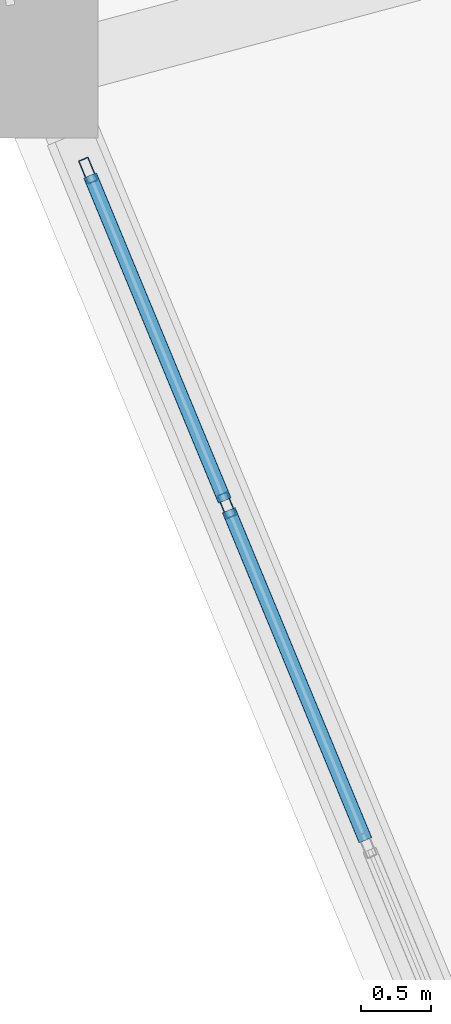
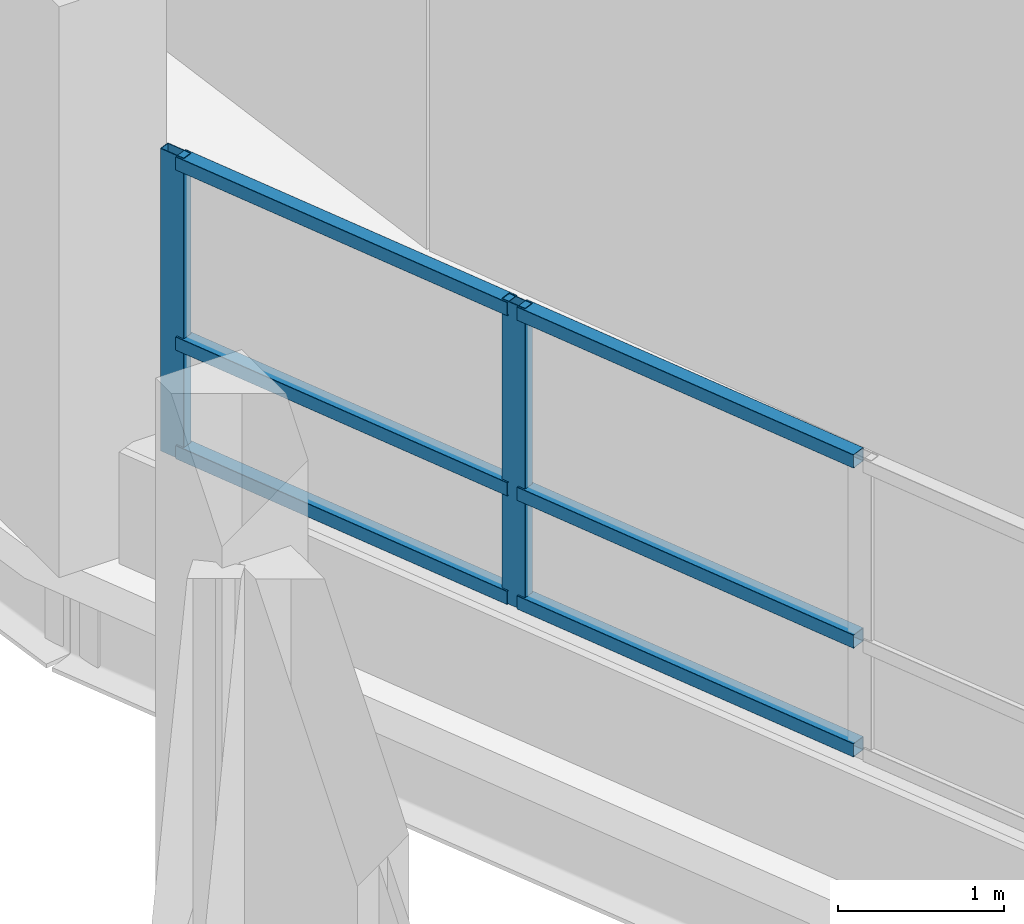
# One storey, part 28 of 128: 8 members, 1 element without a shape of its own.
"""IFC4 building model written with IfcOpenShell, lengths in metres."""

from ifc_helpers import new_model, si_unit, direction, frame, origin, origin_2d, place, context, subcontext, project, spatial, hollow_rectangle, extrude, material, layer, layer_set, material_profile, profile_set, type_object, element, aggregate, save


model = new_model("IFC4")

# Units and contexts
model_context = context("Model", 3, precision=1e-05, world=origin(), true_north=direction((0.0, 1.0)))
body_context = subcontext(model_context, "Body", "Model", "MODEL_VIEW")
ifc_project = project(units=[si_unit("LENGTHUNIT", "METRE"), si_unit("AREAUNIT", "SQUARE_METRE"), si_unit("VOLUMEUNIT", "CUBIC_METRE"), si_unit("PLANEANGLEUNIT", "RADIAN"), si_unit("MASSUNIT", "GRAM", prefix="KILO")], contexts=[model_context])

# Site, building, storey
site_placement = place(None, origin())
site = spatial("IfcSite", under=ifc_project, at=site_placement, CompositionType="ELEMENT")
building_placement = place(site_placement, origin())
building = spatial("IfcBuilding", under=site, at=building_placement, Name="Vespera Passage Community Centre", CompositionType="ELEMENT")
storey_placement = place(building_placement, frame((0.0, 0.0, 4.5)))
storey = spatial("IfcBuildingStorey", under=building, at=storey_placement, Name="L01", CompositionType="ELEMENT", Elevation=4.5)

# Curtain wall, members
ifc_material_1 = material(Name="Anodized aluminium 6063-T6", Category="aluminium")
ifc_layer = layer(ifc_material_1, 0.159912109375)
ifc_layer_set = layer_set([ifc_layer], Name="Anodized aluminium 6063-T6")
curtain_wall_type = type_object("IfcCurtainWallType", Name="CW-20E", PredefinedType="NOTDEFINED", material=ifc_layer_set)
curtain_wall_placement = place(storey_placement, origin())
curtain_wall = element("IfcCurtainWall", 1, at=curtain_wall_placement, inside=storey, type_object=curtain_wall_type, Name="V4 L01 Outer Ribbon Curtain Wall 13", PredefinedType="NOTDEFINED")
ifc_material_2 = material(Name="Anodized aluminium 6063-T6", Category="aluminium")
ifc_material_profile_1 = material_profile(ifc_material_2, hollow_rectangle(XDim=0.074951171875, YDim=0.179931640625, WallThickness=0.0048828125, InnerFilletRadius=0.00244140625, OuterFilletRadius=0.0048828125, at=origin_2d()), Name="ALU180X75X5")
ifc_profile_set_1 = profile_set([ifc_material_profile_1], Name="Anodized aluminium 6063-T6")
member_type_1 = type_object("IfcMemberType", Name="MB-CWM-180E", PredefinedType="MULLION", material=ifc_profile_set_1)
member_1_placement = place(storey_placement, frame((34.766845703125, 50.439453125, 0.820068359375), z_axis=(0.0, 0.0, 1.0), x_axis=(-0.923881309405, -0.382679142535, 0.0)))
member_1 = element("IfcMember", 2, at=member_1_placement, type_object=member_type_1, Name="CW-20E mullion 4", PredefinedType="MULLION", context=body_context, shape_type="SweptSolid", body=[
    extrude(hollow_rectangle(XDim=0.074951171875, YDim=0.179931640625, WallThickness=0.0048828125, InnerFilletRadius=0.00244140625, OuterFilletRadius=0.0048828125, at=origin_2d()), origin(), (0.0, 0.0, 1.0), 2.2255859375),
])
member_2_placement = place(storey_placement, frame((33.774658203125, 52.835205078125, 0.820068359375), z_axis=(0.0, 0.0, 1.0), x_axis=(-0.923881309405, -0.382679142535, 0.0)))
member_2 = element("IfcMember", 3, at=member_2_placement, type_object=member_type_1, Name="CW-20E mullion 5", PredefinedType="MULLION", context=body_context, shape_type="SweptSolid", body=[
    extrude(hollow_rectangle(XDim=0.074951171875, YDim=0.179931640625, WallThickness=0.0048828125, InnerFilletRadius=0.00244140625, OuterFilletRadius=0.0048828125, at=origin_2d()), origin(), (0.0, 0.0, 1.0), 2.2255859375),
])
ifc_material_3 = material(Name="Anodized aluminium 6063-T6", Category="aluminium")
ifc_material_profile_2 = material_profile(ifc_material_3, hollow_rectangle(XDim=0.10009765625, YDim=0.10009765625, WallThickness=0.00390625, InnerFilletRadius=0.001953125, OuterFilletRadius=0.00390625, at=origin_2d()), Name="ALU100X100X4")
ifc_profile_set_2 = profile_set([ifc_material_profile_2], Name="Anodized aluminium 6063-T6")
member_type_2 = type_object("IfcMemberType", Name="MB-CWT-100E", PredefinedType="USERDEFINED", material=ifc_profile_set_2)
member_3_placement = place(storey_placement, frame((35.759033203125, 48.0439453125, 0.8701171875), z_axis=(-0.382647130015, 0.923894568601, 0.0), x_axis=(-0.923894568601, -0.382647130015, 0.0)))
member_3 = element("IfcMember", 4, at=member_3_placement, type_object=member_type_2, Name="CW-20E transom 3.1", ObjectType="TRANSOM", PredefinedType="USERDEFINED", context=body_context, shape_type="SweptSolid", body=[
    extrude(hollow_rectangle(XDim=0.10009765625, YDim=0.10009765625, WallThickness=0.00390625, InnerFilletRadius=0.001953125, OuterFilletRadius=0.00390625, at=origin_2d()), origin(), (0.0, 0.0, 1.0), 2.555419921875),
])
member_4_placement = place(storey_placement, frame((35.759033203125, 48.0439453125, 1.669921875), z_axis=(-0.382647130015, 0.923894568601, 0.0), x_axis=(-0.923894568601, -0.382647130015, 0.0)))
member_4 = element("IfcMember", 5, at=member_4_placement, type_object=member_type_2, Name="CW-20E transom 3.2", ObjectType="TRANSOM", PredefinedType="USERDEFINED", context=body_context, shape_type="SweptSolid", body=[
    extrude(hollow_rectangle(XDim=0.10009765625, YDim=0.10009765625, WallThickness=0.00390625, InnerFilletRadius=0.001953125, OuterFilletRadius=0.00390625, at=origin_2d()), origin(), (0.0, 0.0, 1.0), 2.555419921875),
])
member_5_placement = place(storey_placement, frame((35.759033203125, 48.0439453125, 2.99560546875), z_axis=(-0.382647130015, 0.923894568601, 0.0), x_axis=(-0.923894568601, -0.382647130015, 0.0)))
member_5 = element("IfcMember", 6, at=member_5_placement, type_object=member_type_2, Name="CW-20E transom 3.3", ObjectType="TRANSOM", PredefinedType="USERDEFINED", context=body_context, shape_type="SweptSolid", body=[
    extrude(hollow_rectangle(XDim=0.10009765625, YDim=0.10009765625, WallThickness=0.00390625, InnerFilletRadius=0.001953125, OuterFilletRadius=0.00390625, at=origin_2d()), origin(), (0.0, 0.0, 1.0), 2.555419921875),
])
member_6_placement = place(storey_placement, frame((34.75244140625, 50.47412109375, 0.8701171875), z_axis=(-0.3826800364, 0.923880939159, 0.0), x_axis=(-0.923880939159, -0.3826800364, 0.0)))
member_6 = element("IfcMember", 7, at=member_6_placement, type_object=member_type_2, Name="CW-20E transom 4.1", ObjectType="TRANSOM", PredefinedType="USERDEFINED", context=body_context, shape_type="SweptSolid", body=[
    extrude(hollow_rectangle(XDim=0.10009765625, YDim=0.10009765625, WallThickness=0.00390625, InnerFilletRadius=0.001953125, OuterFilletRadius=0.00390625, at=origin_2d()), origin(), (0.0, 0.0, 1.0), 2.51806640625),
])
member_7_placement = place(storey_placement, frame((34.75244140625, 50.47412109375, 1.669921875), z_axis=(-0.3826800364, 0.923880939159, 0.0), x_axis=(-0.923880939159, -0.3826800364, 0.0)))
member_7 = element("IfcMember", 8, at=member_7_placement, type_object=member_type_2, Name="CW-20E transom 4.2", ObjectType="TRANSOM", PredefinedType="USERDEFINED", context=body_context, shape_type="SweptSolid", body=[
    extrude(hollow_rectangle(XDim=0.10009765625, YDim=0.10009765625, WallThickness=0.00390625, InnerFilletRadius=0.001953125, OuterFilletRadius=0.00390625, at=origin_2d()), origin(), (0.0, 0.0, 1.0), 2.51806640625),
])
member_8_placement = place(storey_placement, frame((34.75244140625, 50.47412109375, 2.99560546875), z_axis=(-0.3826800364, 0.923880939159, 0.0), x_axis=(-0.923880939159, -0.3826800364, 0.0)))
member_8 = element("IfcMember", 9, at=member_8_placement, type_object=member_type_2, Name="CW-20E transom 4.3", ObjectType="TRANSOM", PredefinedType="USERDEFINED", context=body_context, shape_type="SweptSolid", body=[
    extrude(hollow_rectangle(XDim=0.10009765625, YDim=0.10009765625, WallThickness=0.00390625, InnerFilletRadius=0.001953125, OuterFilletRadius=0.00390625, at=origin_2d()), origin(), (0.0, 0.0, 1.0), 2.51806640625),
])
aggregate(curtain_wall, [member_1, member_2, member_3, member_4, member_5, member_6, member_7, member_8])

save(model, "model.ifc")
